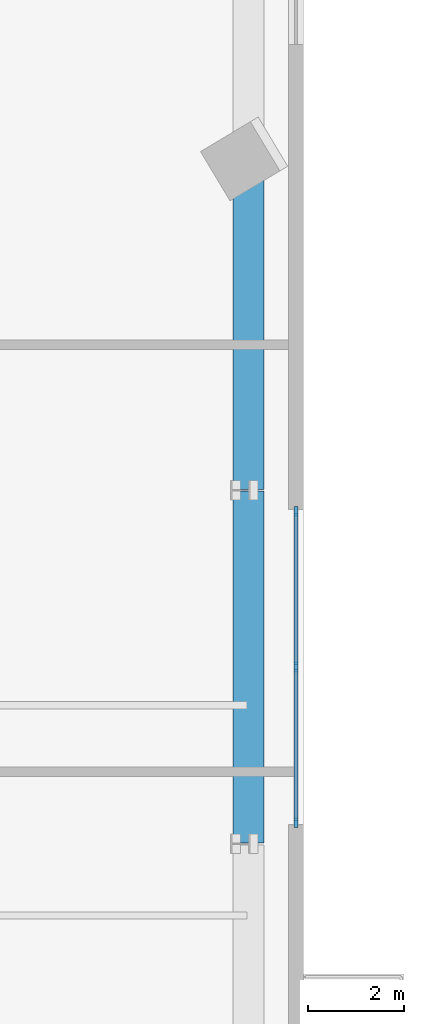
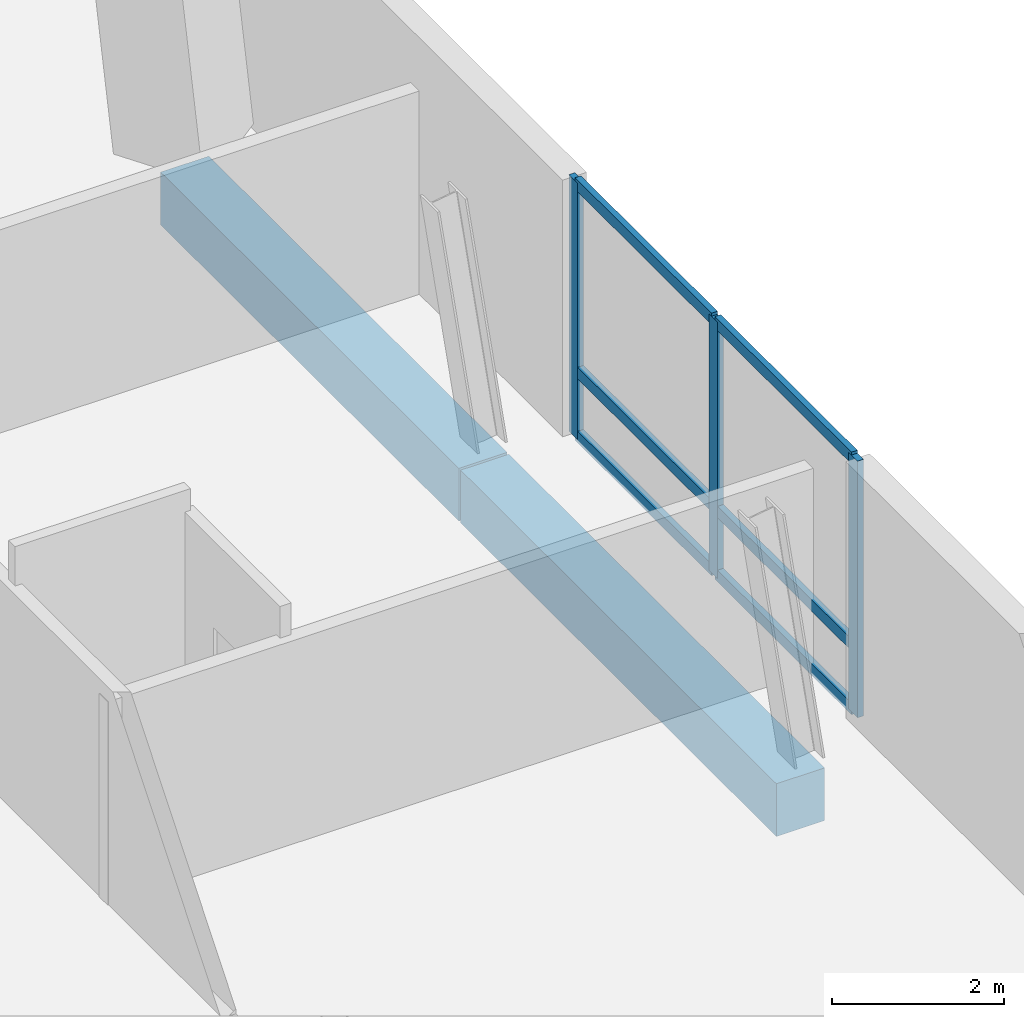
# One storey, part 5 of 15: 9 members, 2 beams, 1 element without a shape of its own.
"""IFC4 building model written with IfcOpenShell, lengths in metres."""

from ifc_helpers import new_model, si_unit, direction, frame, origin, origin_2d, place, context, subcontext, project, spatial, rectangle, extrude, source, transform, mapped, material, material_profile, profile_set, type_object, element, aggregate, save


model = new_model("IFC4")

# Units and contexts
model_context = context("Model", 3, precision=1e-05, world=origin(), true_north=direction((0.0, 1.0)))
body_context = subcontext(model_context, "Body", "Model", "MODEL_VIEW")
ifc_project = project(units=[si_unit("LENGTHUNIT", "METRE"), si_unit("AREAUNIT", "SQUARE_METRE"), si_unit("VOLUMEUNIT", "CUBIC_METRE"), si_unit("PLANEANGLEUNIT", "RADIAN"), si_unit("MASSUNIT", "GRAM", prefix="KILO")], contexts=[model_context])

# Site, building, storey
site_placement = place(None, origin())
site = spatial("IfcSite", under=ifc_project, at=site_placement, CompositionType="ELEMENT")
building_placement = place(site_placement, origin())
building = spatial("IfcBuilding", under=site, at=building_placement, Name="Vardaveli Station Tower", CompositionType="ELEMENT")
storey_placement = place(building_placement, frame((0.0, 0.0, 262.449951171875)))
storey = spatial("IfcBuildingStorey", under=building, at=storey_placement, Name="L67", CompositionType="ELEMENT", Elevation=262.449951171875)

# Beams
ifc_material_1 = material(Name="Precast concrete C45/55", Category="concrete")
ifc_material_profile_1 = material_profile(ifc_material_1, rectangle(XDim=0.64990234375, YDim=0.75, at=origin_2d()), Name="LPB 650x750")
ifc_profile_set_1 = profile_set([ifc_material_profile_1], Name="Precast concrete C45/55")
beam_type = type_object("IfcBeamType", Name="BM-LPB-750", PredefinedType="BEAM", material=ifc_profile_set_1)
shared_shape_1 = source(origin(), body_context, "Body", "SweptSolid", [
    extrude(rectangle(XDim=0.64990234375, YDim=0.75, at=origin_2d()), origin(), (0.0, 0.0, 1.0), 7.35986328125),
])
beam_1_placement = place(storey_placement, frame((60.169921875, 21.52001953125, -0.675048828125), z_axis=(0.0, 1.0, 0.0), x_axis=(-1.0, 0.0, 0.0)))
element("IfcBeam", 1, at=beam_1_placement, inside=storey, type_object=beam_type, Name="RBM-L67-08", PredefinedType="BEAM", context=body_context, shape_type="MappedRepresentation", body=[
    mapped(shared_shape_1, transform((0.0, 0.0, 0.0), scale=1.0)),
])
shared_shape_2 = source(origin(), body_context, "Body", "SweptSolid", [
    extrude(rectangle(XDim=0.64990234375, YDim=0.75, at=origin_2d()), origin(), (0.0, 0.0, 1.0), 6.9521484375),
])
beam_2_placement = place(storey_placement, frame((60.169921875, 28.919921875, -0.675048828125), z_axis=(0.0, 1.0, 0.0), x_axis=(-1.0, 0.0, 0.0)))
element("IfcBeam", 2, at=beam_2_placement, inside=storey, type_object=beam_type, Name="RBM-L67-09", PredefinedType="BEAM", context=body_context, shape_type="MappedRepresentation", body=[
    mapped(shared_shape_2, transform((0.0, 0.0, 0.0), scale=1.0)),
])

# Curtain wall, members
ifc_material_2 = material(Name="Travertine stone and solar-control glass", Category="masonry")
curtain_wall_type = type_object("IfcCurtainWallType", Name="CW-SYS-5", PredefinedType="NOTDEFINED", material=ifc_material_2)
curtain_wall_placement = place(storey_placement, origin())
curtain_wall = element("IfcCurtainWall", 3, at=curtain_wall_placement, inside=storey, type_object=curtain_wall_type, Name="CW-L67-E", PredefinedType="NOTDEFINED")
ifc_material_3 = material(Name="Anodised aluminium alloy 6063-T6", Category="aluminium")
ifc_material_profile_2 = material_profile(ifc_material_3, rectangle(XDim=0.080078125, YDim=0.1650390625, at=origin_2d()), Name="CWT 80x165")
ifc_profile_set_2 = profile_set([ifc_material_profile_2], Name="Anodised aluminium alloy 6063-T6")
member_type_1 = type_object("IfcMemberType", Name="CW-SYS-5-TRAN", PredefinedType="NOTDEFINED", material=ifc_profile_set_2)
shared_shape_3 = source(origin(), body_context, "Body", "SweptSolid", [
    extrude(rectangle(XDim=0.080078125, YDim=0.1650390625, at=origin_2d()), origin(), (0.0, 0.0, 1.0), 3.179931640625),
])
member_1_placement = place(storey_placement, frame((61.159912109375, 21.97998046875, 0.0400390625), z_axis=(0.0, 1.0, 0.0), x_axis=(-1.0, 0.0, 0.0)))
member_1 = element("IfcMember", 4, at=member_1_placement, type_object=member_type_1, Name="CW-5 transom 1.1", ObjectType="TRANSOM", PredefinedType="USERDEFINED", context=body_context, shape_type="MappedRepresentation", body=[
    mapped(shared_shape_3, transform((0.0, 0.0, 0.0), scale=1.0)),
])
member_2_placement = place(storey_placement, frame((61.159912109375, 21.97998046875, 0.949951171875), z_axis=(0.0, 1.0, 0.0), x_axis=(-1.0, 0.0, 0.0)))
member_2 = element("IfcMember", 5, at=member_2_placement, type_object=member_type_1, Name="CW-5 transom 1.2", ObjectType="TRANSOM", PredefinedType="USERDEFINED", context=body_context, shape_type="MappedRepresentation", body=[
    mapped(shared_shape_3, transform((0.0, 0.0, 0.0), scale=1.0)),
])
member_3_placement = place(storey_placement, frame((61.159912109375, 21.97998046875, 3.610107421875), z_axis=(0.0, 1.0, 0.0), x_axis=(-1.0, 0.0, 0.0)))
member_3 = element("IfcMember", 6, at=member_3_placement, type_object=member_type_1, Name="CW-5 transom 1.3", ObjectType="TRANSOM", PredefinedType="USERDEFINED", context=body_context, shape_type="MappedRepresentation", body=[
    mapped(shared_shape_3, transform((0.0, 0.0, 0.0), scale=1.0)),
])
member_4_placement = place(storey_placement, frame((61.159912109375, 25.239990234375, 0.0400390625), z_axis=(0.0, 1.0, 0.0), x_axis=(-1.0, 0.0, 0.0)))
member_4 = element("IfcMember", 7, at=member_4_placement, type_object=member_type_1, Name="CW-5 transom 2.1", ObjectType="TRANSOM", PredefinedType="USERDEFINED", context=body_context, shape_type="MappedRepresentation", body=[
    mapped(shared_shape_3, transform((0.0, 0.0, 0.0), scale=1.0)),
])
member_5_placement = place(storey_placement, frame((61.159912109375, 25.239990234375, 0.949951171875), z_axis=(0.0, 1.0, 0.0), x_axis=(-1.0, 0.0, 0.0)))
member_5 = element("IfcMember", 8, at=member_5_placement, type_object=member_type_1, Name="CW-5 transom 2.2", ObjectType="TRANSOM", PredefinedType="USERDEFINED", context=body_context, shape_type="MappedRepresentation", body=[
    mapped(shared_shape_3, transform((0.0, 0.0, 0.0), scale=1.0)),
])
member_6_placement = place(storey_placement, frame((61.159912109375, 25.239990234375, 3.610107421875), z_axis=(0.0, 1.0, 0.0), x_axis=(-1.0, 0.0, 0.0)))
member_6 = element("IfcMember", 9, at=member_6_placement, type_object=member_type_1, Name="CW-5 transom 2.3", ObjectType="TRANSOM", PredefinedType="USERDEFINED", context=body_context, shape_type="MappedRepresentation", body=[
    mapped(shared_shape_3, transform((0.0, 0.0, 0.0), scale=1.0)),
])
ifc_material_profile_3 = material_profile(ifc_material_3, rectangle(XDim=0.080078125, YDim=0.205078125, at=origin_2d()), Name="CWM 80x205")
ifc_profile_set_3 = profile_set([ifc_material_profile_3], Name="Anodised aluminium alloy 6063-T6")
member_type_2 = type_object("IfcMemberType", Name="CW-SYS-5-MULL", PredefinedType="MULLION", material=ifc_profile_set_3)
shared_shape_4 = source(origin(), body_context, "Body", "SweptSolid", [
    extrude(rectangle(XDim=0.080078125, YDim=0.205078125, at=origin_2d()), origin(), (0.0, 0.0, 1.0), 3.650146484375),
])
member_7_placement = place(storey_placement, frame((61.159912109375, 21.93994140625, 0.0), z_axis=(0.0, 0.0, 1.0), x_axis=(-1.0, 0.0, 0.0)))
member_7 = element("IfcMember", 10, at=member_7_placement, type_object=member_type_2, Name="CW-5 mullion 1", PredefinedType="MULLION", context=body_context, shape_type="MappedRepresentation", body=[
    mapped(shared_shape_4, transform((0.0, 0.0, 0.0), scale=1.0)),
])
member_8_placement = place(storey_placement, frame((61.159912109375, 25.199951171875, 0.0), z_axis=(0.0, 0.0, 1.0), x_axis=(-1.0, 0.0, 0.0)))
member_8 = element("IfcMember", 11, at=member_8_placement, type_object=member_type_2, Name="CW-5 mullion 2", PredefinedType="MULLION", context=body_context, shape_type="MappedRepresentation", body=[
    mapped(shared_shape_4, transform((0.0, 0.0, 0.0), scale=1.0)),
])
member_9_placement = place(storey_placement, frame((61.159912109375, 28.4599609375, 0.0), z_axis=(0.0, 0.0, 1.0), x_axis=(-1.0, 0.0, 0.0)))
member_9 = element("IfcMember", 12, at=member_9_placement, type_object=member_type_2, Name="CW-5 mullion 3", PredefinedType="MULLION", context=body_context, shape_type="MappedRepresentation", body=[
    mapped(shared_shape_4, transform((0.0, 0.0, 0.0), scale=1.0)),
])
aggregate(curtain_wall, [member_7, member_8, member_9, member_1, member_2, member_3, member_4, member_5, member_6])

save(model, "model.ifc")
